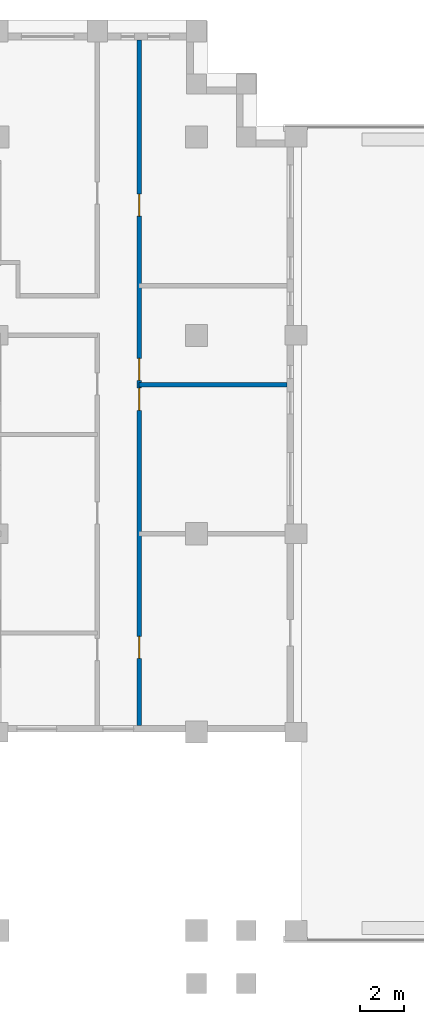
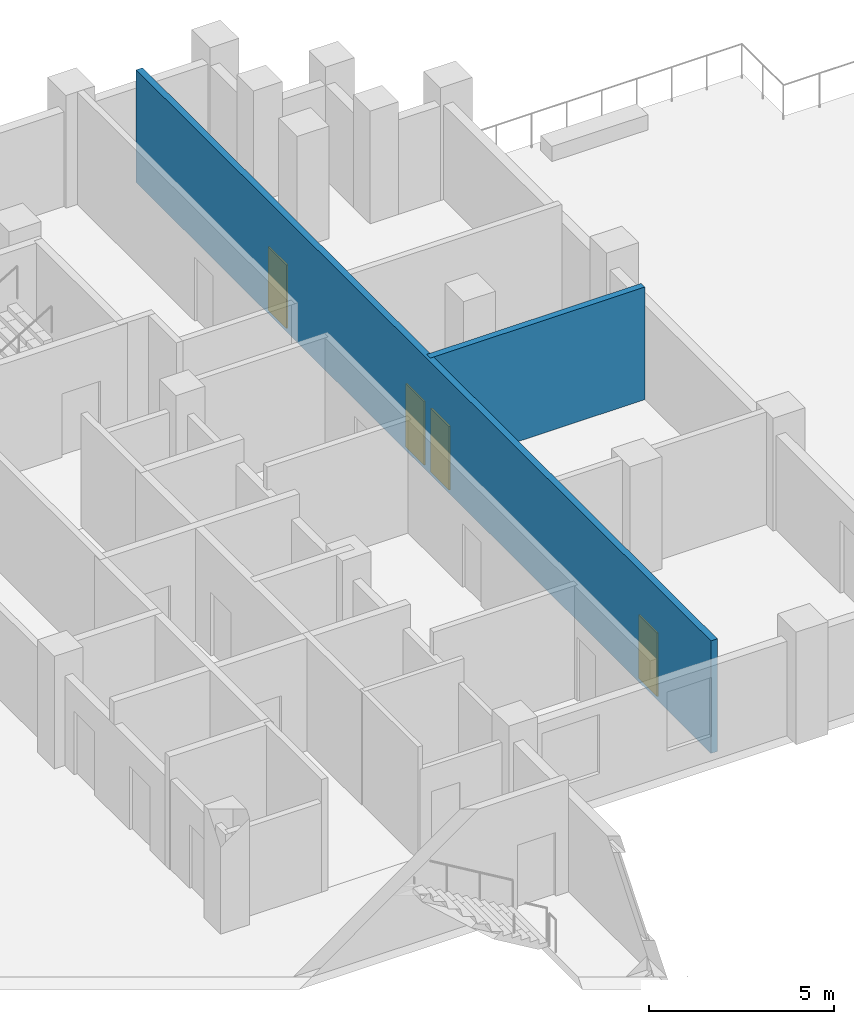
# One storey, part 6 of 12: 4 doors, 2 walls, 4 openings.
"""IFC4 building model written with IfcOpenShell, lengths in metres."""

from ifc_helpers import new_model, si_unit, direction, frame, frame_2d, origin, place, context, subcontext, project, spatial, rectangle, extrude, material, layer, layer_set, type_object, element, fill, save


model = new_model("IFC4")

# Units and contexts
model_context = context("Model", 3, precision=1e-05, world=origin(), true_north=direction((0.0, 1.0)))
body_context = subcontext(model_context, "Body", "Model", "MODEL_VIEW")
ifc_project = project(units=[si_unit("LENGTHUNIT", "METRE"), si_unit("AREAUNIT", "SQUARE_METRE"), si_unit("VOLUMEUNIT", "CUBIC_METRE"), si_unit("PLANEANGLEUNIT", "RADIAN"), si_unit("MASSUNIT", "GRAM", prefix="KILO")], contexts=[model_context])

# Site, building, storey
site_placement = place(None, origin())
site = spatial("IfcSite", under=ifc_project, at=site_placement, CompositionType="ELEMENT")
building_placement = place(site_placement, origin())
building = spatial("IfcBuilding", under=site, at=building_placement, Name="Corbelhall Arena Tower", CompositionType="ELEMENT")
storey_placement = place(building_placement, frame((0.0, 0.0, 184.0)))
storey = spatial("IfcBuildingStorey", under=building, at=storey_placement, Name="L37", CompositionType="ELEMENT", Elevation=184.0)

# Wall, openings, doors
ifc_material_1 = material(Name="Gypsum board on steel stud, acoustic", Category="steel")
ifc_layer = layer(ifc_material_1, 0.199951171875)
ifc_layer_set = layer_set([ifc_layer], Name="IN-W-DM200")
wall_type = type_object("IfcWallType", Name="IN-W-DM200", PredefinedType="PARTITIONING", material=ifc_layer_set)
wall_1_placement = place(storey_placement, frame((19.89990234375, 22.39990234375, 0.0), z_axis=(0.0, 0.0, 1.0), x_axis=(0.0, -1.0, 0.0)))
wall_1 = element("IfcWall", 1, at=wall_1_placement, inside=storey, type_object=wall_type, Name="Partition 046", PredefinedType="PARTITIONING", context=body_context, shape_type="SweptSolid", body=[
    extrude(rectangle(XDim=31.099853515625, YDim=0.199951171875, at=frame_2d((15.5498046875, 0.0))), origin(), (0.0, 0.0, 1.0), 3.719970703125),
])
opening_1_placement = place(wall_1_placement, frame((15.800048828125, 0.0, 0.0)))
opening_1 = element("IfcOpeningElement", 2, at=opening_1_placement, cuts=wall_1, Name="Opening 11036", PredefinedType="OPENING", context=body_context, shape_type="SweptSolid", body=[
    extrude(rectangle(XDim=1.0, YDim=2.10009765625, at=frame_2d((0.5, 1.050048828125))), frame((0.0, 0.10009765625, 0.0), z_axis=(0.0, -1.0, 0.0), x_axis=(1.0, 0.0, 0.0)), (0.0, 0.0, 1.0), 0.199951171875),
])
opening_2_placement = place(wall_1_placement, frame((14.449951171875, 0.0, 0.0)))
opening_2 = element("IfcOpeningElement", 3, at=opening_2_placement, cuts=wall_1, Name="Opening 11037", PredefinedType="OPENING", context=body_context, shape_type="SweptSolid", body=[
    extrude(rectangle(XDim=1.0, YDim=2.10009765625, at=frame_2d((0.5, 1.050048828125))), frame((0.0, 0.10009765625, 0.0), z_axis=(0.0, -1.0, 0.0), x_axis=(1.0, 0.0, 0.0)), (0.0, 0.0, 1.0), 0.199951171875),
])
opening_3_placement = place(wall_1_placement, frame((7.0, 0.0, 0.0)))
opening_3 = element("IfcOpeningElement", 4, at=opening_3_placement, cuts=wall_1, Name="Opening 11038", PredefinedType="OPENING", context=body_context, shape_type="SweptSolid", body=[
    extrude(rectangle(XDim=1.0, YDim=2.10009765625, at=frame_2d((0.5, 1.050048828125))), frame((0.0, 0.10009765625, 0.0), z_axis=(0.0, -1.0, 0.0), x_axis=(1.0, 0.0, 0.0)), (0.0, 0.0, 1.0), 0.199951171875),
])
opening_4_placement = place(wall_1_placement, frame((27.050048828125, 0.0, 0.0)))
opening_4 = element("IfcOpeningElement", 5, at=opening_4_placement, cuts=wall_1, Name="Opening 11039", PredefinedType="OPENING", context=body_context, shape_type="SweptSolid", body=[
    extrude(rectangle(XDim=1.0, YDim=2.10009765625, at=frame_2d((0.5, 1.050048828125))), frame((0.0, 0.10009765625, 0.0), z_axis=(0.0, -1.0, 0.0), x_axis=(1.0, 0.0, 0.0)), (0.0, 0.0, 1.0), 0.199951171875),
])
ifc_material_2 = material(Name="Steel door set", Category="steel")
door_type = type_object("IfcDoorType", Name="IN-D-SW100", OperationType="NOTDEFINED", PredefinedType="DOOR", material=ifc_material_2)
door_1_placement = place(opening_1_placement, origin())
door_1 = element("IfcDoor", 6, at=door_1_placement, inside=storey, type_object=door_type, Name="Door 036", OperationType="SINGLE_SWING_LEFT", OverallHeight=2.10009765625, OverallWidth=1.0, PredefinedType="DOOR", context=body_context, shape_type="SweptSolid", body=[
    extrude(rectangle(XDim=1.0, YDim=2.10009765625, at=frame_2d((0.5, 1.050048828125))), frame((0.0, 0.02490234375, 0.0), z_axis=(0.0, -1.0, 0.0), x_axis=(1.0, 0.0, 0.0)), (0.0, 0.0, 1.0), 0.050048828125),
])
fill(opening_1, door_1)
door_2_placement = place(opening_2_placement, origin())
door_2 = element("IfcDoor", 7, at=door_2_placement, inside=storey, type_object=door_type, Name="Door 037", OperationType="SINGLE_SWING_RIGHT", OverallHeight=2.10009765625, OverallWidth=1.0, PredefinedType="DOOR", context=body_context, shape_type="SweptSolid", body=[
    extrude(rectangle(XDim=1.0, YDim=2.10009765625, at=frame_2d((0.5, 1.050048828125))), frame((0.0, 0.02490234375, 0.0), z_axis=(0.0, -1.0, 0.0), x_axis=(1.0, 0.0, 0.0)), (0.0, 0.0, 1.0), 0.050048828125),
])
fill(opening_2, door_2)
door_3_placement = place(opening_3_placement, origin())
door_3 = element("IfcDoor", 8, at=door_3_placement, inside=storey, type_object=door_type, Name="Door 038", OperationType="SINGLE_SWING_LEFT", OverallHeight=2.10009765625, OverallWidth=1.0, PredefinedType="DOOR", context=body_context, shape_type="SweptSolid", body=[
    extrude(rectangle(XDim=1.0, YDim=2.10009765625, at=frame_2d((0.5, 1.050048828125))), frame((0.0, 0.02490234375, 0.0), z_axis=(0.0, -1.0, 0.0), x_axis=(1.0, 0.0, 0.0)), (0.0, 0.0, 1.0), 0.050048828125),
])
fill(opening_3, door_3)
door_4_placement = place(opening_4_placement, origin())
door_4 = element("IfcDoor", 9, at=door_4_placement, inside=storey, type_object=door_type, Name="Door 039", OperationType="SINGLE_SWING_RIGHT", OverallHeight=2.10009765625, OverallWidth=1.0, PredefinedType="DOOR", context=body_context, shape_type="SweptSolid", body=[
    extrude(rectangle(XDim=1.0, YDim=2.10009765625, at=frame_2d((0.5, 1.050048828125))), frame((0.0, 0.02490234375, 0.0), z_axis=(0.0, -1.0, 0.0), x_axis=(1.0, 0.0, 0.0)), (0.0, 0.0, 1.0), 0.050048828125),
])
fill(opening_4, door_4)

# Wall
wall_2_placement = place(storey_placement, frame((19.89990234375, 6.75, 0.0), z_axis=(0.0, 0.0, 1.0), x_axis=(1.0, 0.0, 0.0)))
element("IfcWall", 10, at=wall_2_placement, inside=storey, type_object=wall_type, Name="Partition 047", PredefinedType="PARTITIONING", context=body_context, shape_type="SweptSolid", body=[
    extrude(rectangle(XDim=6.7001953125, YDim=0.199951171875, at=frame_2d((3.35009765625, 0.0))), origin(), (0.0, 0.0, 1.0), 3.719970703125),
])

save(model, "model.ifc")
